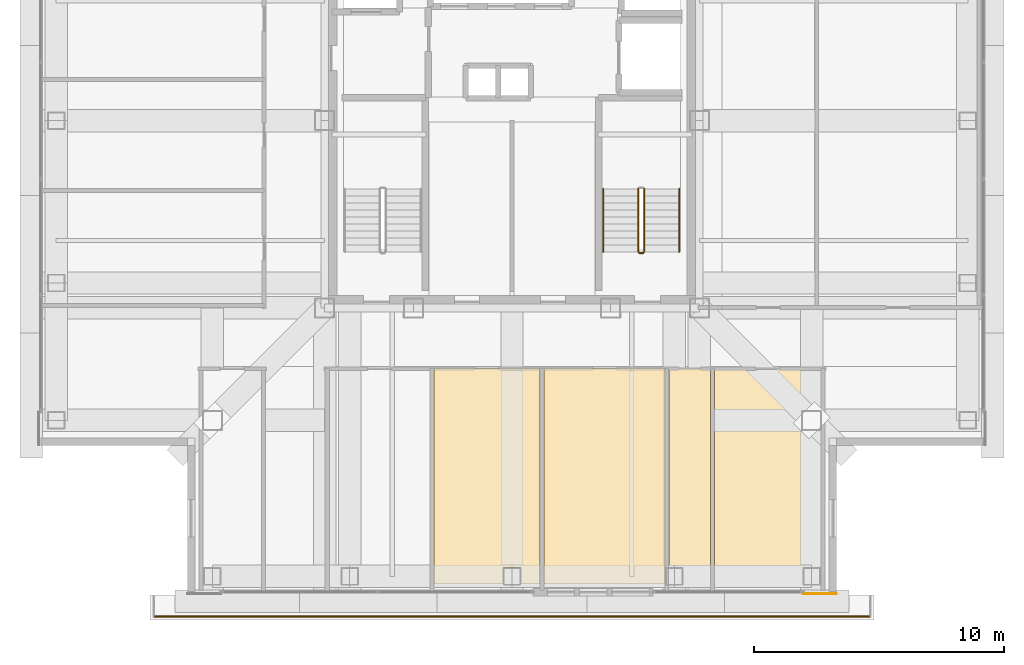
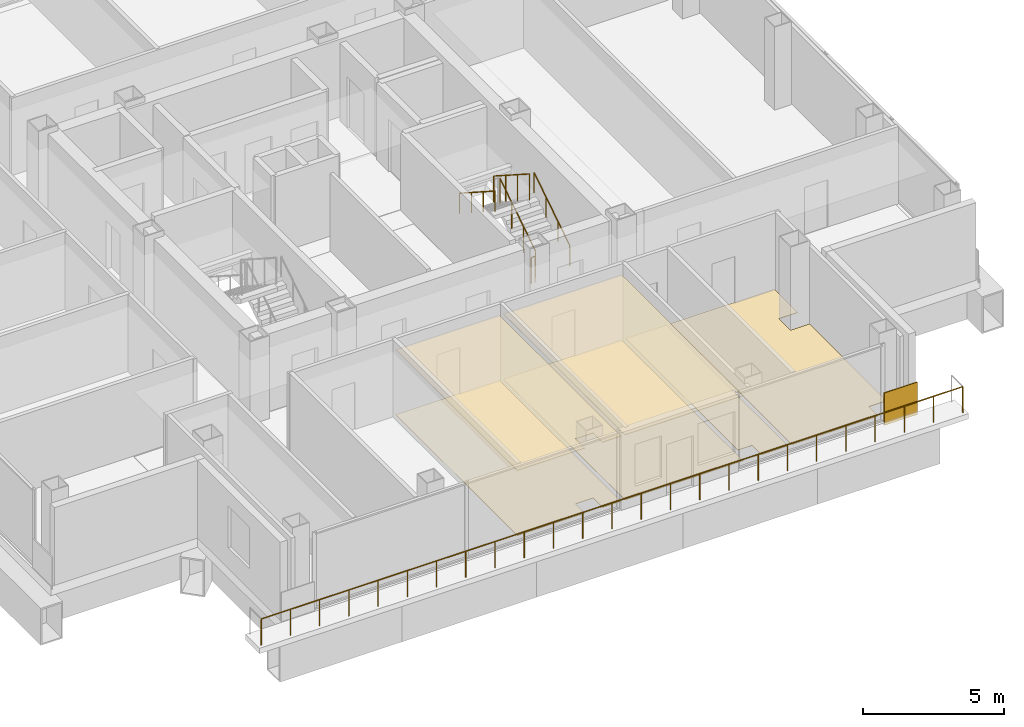
# One storey, part 11 of 15: 7 coverings, 6 railings.
"""IFC4 building model written with IfcOpenShell, lengths in metres."""

import ifcopenshell
import ifcopenshell.guid

model = None  # the IFC model being written
_history = None  # IfcOwnerHistory: only IFC2X3 demands one
_inside = {}  # id of a spatial element -> (the spatial element, [elements in it])
_under = {}  # id of a project, library or spatial element -> (it, [spatial elements below it])
_declared = {}  # id of a project -> (the project, [libraries it declares])
_typed = {}  # id of a type object -> (the type object, [elements of that type])
_made_of = {}  # id of a material, layer set ... -> (it, [elements and type objects made of it])


def new_model(schema):
    """Start an empty IFC model of exactly this schema.

    Asked for "IFC4X3", IfcOpenShell would pick the latest addendum, in which some entities
    have other attributes; the version numbers below select the first issue.
    IFC2X3 requires an IfcOwnerHistory on every rooted entity: one is made here for all.
    """
    global model, _history
    if schema == "IFC4X3":
        model = ifcopenshell.file(schema_version=(4, 3, 0, 0))
    else:
        model = ifcopenshell.file(schema=schema)
    _inside.clear()
    _under.clear()
    _declared.clear()
    _typed.clear()
    _made_of.clear()
    _history = None
    if model.schema == "IFC2X3":
        org = make("IfcOrganization", Name="unknown")
        user = make(
            "IfcPersonAndOrganization",
            ThePerson=make("IfcPerson", FamilyName="unknown"),
            TheOrganization=org,
        )
        app = make(
            "IfcApplication",
            ApplicationDeveloper=org,
            Version="unknown",
            ApplicationFullName="unknown",
            ApplicationIdentifier="unknown",
        )
        _history = make(
            "IfcOwnerHistory",
            OwningUser=user,
            OwningApplication=app,
            ChangeAction="ADDED",
            CreationDate=0,
        )
    return model


def make(cls, **values):
    """One entity of the class cls with the attributes given. An attribute that is None is left unset."""
    return model.create_entity(
        cls, **{name: value for name, value in values.items() if value is not None}
    )


def rooted(cls, **values):
    """An entity with a GlobalId (a new one), such as an element, a storey or a relation."""
    return make(cls, GlobalId=ifcopenshell.guid.new(), OwnerHistory=_history, **values)


def si_unit(unit_type, name, prefix=None):
    """IfcSIUnit, for example si_unit("LENGTHUNIT", "METRE", prefix="MILLI")."""
    return make("IfcSIUnit", UnitType=unit_type, Prefix=prefix, Name=name)


def assignment(units):
    """IfcUnitAssignment: the units of a project."""
    return None if units is None else make("IfcUnitAssignment", Units=units)


def point(xyz):
    """IfcCartesianPoint."""
    return None if xyz is None else make("IfcCartesianPoint", Coordinates=xyz)


def direction(xyz):
    """IfcDirection."""
    return None if xyz is None else make("IfcDirection", DirectionRatios=xyz)


def frame(location, z_axis=None, x_axis=None):
    """IfcAxis2Placement3D, a coordinate frame: its origin and axes. An axis left out is left unset."""
    return make(
        "IfcAxis2Placement3D",
        Location=point(location),
        Axis=direction(z_axis),
        RefDirection=direction(x_axis),
    )


def frame_2d(location, x_axis=None):
    """IfcAxis2Placement2D, a coordinate frame in the plane: its origin and x axis."""
    return make(
        "IfcAxis2Placement2D", Location=point(location), RefDirection=direction(x_axis)
    )


def origin():
    """The frame at (0, 0, 0) with its axes left unset."""
    return frame((0.0, 0.0, 0.0))


def origin_2d():
    """The frame at (0, 0) in the plane with its x axis left unset."""
    return frame_2d((0.0, 0.0))


def place(relative_to, where):
    """IfcLocalPlacement: puts the frame where relative to a parent placement (None: the world)."""
    return make(
        "IfcLocalPlacement", PlacementRelTo=relative_to, RelativePlacement=where
    )


def context(
    kind, dimensions, precision=None, world=None, true_north=None, identifier=None
):
    """IfcGeometricRepresentationContext, for example the 3D "Model" context."""
    return make(
        "IfcGeometricRepresentationContext",
        ContextIdentifier=identifier,
        ContextType=kind,
        CoordinateSpaceDimension=dimensions,
        Precision=precision,
        WorldCoordinateSystem=world,
        TrueNorth=true_north,
    )


def subcontext(parent, identifier, kind, view, scale=None):
    """IfcGeometricRepresentationSubContext, for example "Body" below "Model"."""
    return make(
        "IfcGeometricRepresentationSubContext",
        ContextIdentifier=identifier,
        ContextType=kind,
        ParentContext=parent,
        TargetScale=scale,
        TargetView=view,
    )


def project(units=None, contexts=None):
    """IfcProject with its units and contexts."""
    return rooted(
        "IfcProject",
        Name="project",
        RepresentationContexts=contexts,
        UnitsInContext=assignment(units),
    )


def spatial(cls, under=None, at=None, **own):
    """A site, building, storey or space (cls), placed at a placement, below another one or the project."""
    s = rooted(cls, ObjectPlacement=at, **own)
    if under is not None:
        _under.setdefault(under.id(), (under, []))[1].append(s)
    return s


def polyline(points):
    """IfcPolyline through the points."""
    return make("IfcPolyline", Points=[point(p) for p in points])


def profile(cls, at=None, kind="AREA", **sizes):
    """A parametric profile (cls). Its sizes go by their IFC names, for example OverallWidth=200.0."""
    return make(cls, ProfileType=kind, Position=at, **sizes)


def rectangle(**sizes):
    """IfcRectangleProfileDef."""
    return profile("IfcRectangleProfileDef", **sizes)


def circle(**sizes):
    """IfcCircleProfileDef."""
    return profile("IfcCircleProfileDef", **sizes)


def outline(outer, holes=None, kind="AREA"):
    """IfcArbitraryClosedProfileDef: a profile drawn as a closed curve; with holes, ...WithVoids."""
    if holes is None:
        return make("IfcArbitraryClosedProfileDef", ProfileType=kind, OuterCurve=outer)
    return make(
        "IfcArbitraryProfileDefWithVoids",
        ProfileType=kind,
        OuterCurve=outer,
        InnerCurves=holes,
    )


def extrude(swept, where, along, depth):
    """IfcExtrudedAreaSolid: the profile swept, set in the frame where, extruded along a direction by depth."""
    return make(
        "IfcExtrudedAreaSolid",
        SweptArea=swept,
        Position=where,
        ExtrudedDirection=direction(along),
        Depth=depth,
    )


def shape(context_of_items, identifier, shape_type, items):
    """IfcShapeRepresentation: the items that make up one representation, for example the "Body"."""
    return make(
        "IfcShapeRepresentation",
        ContextOfItems=context_of_items,
        RepresentationIdentifier=identifier,
        RepresentationType=shape_type,
        Items=items,
    )


def material(Name=None, Category=None):
    """IfcMaterial."""
    return make("IfcMaterial", Name=Name, Category=Category)


def layer(
    of_material, thickness, ventilated=None, Name=None, Category=None, Priority=None
):
    """IfcMaterialLayer: one layer of a wall or slab, of a material (None: an air gap)."""
    return make(
        "IfcMaterialLayer",
        Material=of_material,
        LayerThickness=thickness,
        IsVentilated=ventilated,
        Name=Name,
        Category=Category,
        Priority=Priority,
    )


def layer_set(layers, Name=None):
    """IfcMaterialLayerSet."""
    return make("IfcMaterialLayerSet", MaterialLayers=layers, LayerSetName=Name)


def made_of(thing, what):
    """Note that an element or type object is made of a material, layer set ...; save() writes the relation."""
    if what is not None:
        _made_of.setdefault(what.id(), (what, []))[1].append(thing)
    return thing


def type_object(cls, material=None, **own):
    """A type object (cls), such as IfcWallType, which elements share."""
    return made_of(rooted(cls, **own), material)


def element(
    cls,
    number,
    at=None,
    inside=None,
    cuts=None,
    type_object=None,
    material=None,
    context=None,
    identifier="Body",
    shape_type=None,
    held_by="IfcProductDefinitionShape",
    body=None,
    shapes=None,
    **own,
):
    """One element of the class cls, such as IfcWall. Its Tag is "e" and its number.

    at: its placement. inside: the storey or other place that contains it. cuts: it is an
    opening in that element (IfcRelVoidsElement). A single representation is given by context,
    identifier, shape_type and body (its items); several are given by shapes. held_by: the class
    of the entity that holds the representations. save() writes the other relations.
    """
    e = rooted(cls, Tag="e%d" % number, ObjectPlacement=at, **own)
    if body is not None:
        shapes = [shape(context, identifier, shape_type, body)]
    if shapes is not None:
        e.Representation = make(held_by, Representations=shapes)
    if inside is not None:
        _inside.setdefault(inside.id(), (inside, []))[1].append(e)
    if cuts is not None:
        rooted(
            "IfcRelVoidsElement", RelatingBuildingElement=cuts, RelatedOpeningElement=e
        )
    if type_object is not None:
        _typed.setdefault(type_object.id(), (type_object, []))[1].append(e)
    return made_of(e, material)


def aggregate(whole, parts):
    """IfcRelAggregates: a whole, such as a stair, and the parts it consists of."""
    return rooted("IfcRelAggregates", RelatingObject=whole, RelatedObjects=parts)


def save(model, path):
    """Write the relations noted so far, then the file.

    IfcRelAggregates (storeys below a building ...), IfcRelContainedInSpatialStructure (elements
    in a storey), IfcRelDefinesByType, IfcRelAssociatesMaterial and IfcRelDeclares: one each for
    every whole, place, type object, material and project.
    """
    for whole, parts in _under.values():
        aggregate(whole, parts)
    for where, things in _inside.values():
        rooted(
            "IfcRelContainedInSpatialStructure",
            RelatedElements=things,
            RelatingStructure=where,
        )
    for kind, things in _typed.values():
        rooted("IfcRelDefinesByType", RelatedObjects=things, RelatingType=kind)
    for what, things in _made_of.values():
        rooted("IfcRelAssociatesMaterial", RelatedObjects=things, RelatingMaterial=what)
    for by, libraries in _declared.values():
        rooted("IfcRelDeclares", RelatingContext=by, RelatedDefinitions=libraries)
    model.write(path)


model = new_model("IFC4")

# Units and contexts
model_context = context("Model", 3, precision=1e-05, world=origin(), true_north=direction((0.0, 1.0)))
body_context = subcontext(model_context, "Body", "Model", "MODEL_VIEW")
ifc_project = project(units=[si_unit("LENGTHUNIT", "METRE"), si_unit("AREAUNIT", "SQUARE_METRE"), si_unit("VOLUMEUNIT", "CUBIC_METRE"), si_unit("PLANEANGLEUNIT", "RADIAN"), si_unit("MASSUNIT", "GRAM", prefix="KILO")], contexts=[model_context])

# Site, building, storey
site_placement = place(None, origin())
site = spatial("IfcSite", under=ifc_project, at=site_placement, CompositionType="ELEMENT")
building_placement = place(site_placement, origin())
building = spatial("IfcBuilding", under=site, at=building_placement, Name="Trevonay Congress Spire", CompositionType="ELEMENT")
storey_placement = place(building_placement, frame((0.0, 0.0, 232.39990234375)))
storey = spatial("IfcBuildingStorey", under=building, at=storey_placement, Name="L60", CompositionType="ELEMENT", Elevation=232.39990234375)

# Coverings
ifc_material_1 = material(Name="Acoustic Mineral Fibre Board", Category="gypsum")
ifc_layer_1 = layer(ifc_material_1, 0.02490234375, Name="Acoustic Mineral Fibre Board")
ifc_layer_set_1 = layer_set([ifc_layer_1], Name="Acoustic Mineral Fibre Board")
covering_type_1 = type_object("IfcCoveringType", Name="COV-CEIL-ACOUSTIC", PredefinedType="CEILING", material=ifc_layer_set_1)
covering_1_placement = place(storey_placement, frame((0.0, 0.0, 2.81005859375)))
element("IfcCovering", 1, at=covering_1_placement, inside=storey, type_object=covering_type_1, Name="L60 Political Chancery Office acoustic suspended ceiling", PredefinedType="CEILING", context=body_context, shape_type="SweptSolid", body=[
    extrude(outline(polyline([(-3.1201171875, -18.550048828125), (-3.1201171875, -9.929931640625), (1.1201171875, -9.929931640625), (1.1201171875, -18.550048828125), (0.360107421875, -18.550048828125), (0.360107421875, -17.889892578125), (-0.360107421875, -17.889892578125), (-0.360107421875, -18.550048828125), (-3.1201171875, -18.550048828125)])), origin(), (0.0, 0.0, 1.0), 0.025146484375),
])
covering_2_placement = place(storey_placement, frame((0.0, 0.0, 2.81005859375)))
element("IfcCovering", 2, at=covering_2_placement, inside=storey, type_object=covering_type_1, Name="L60 Economic Attache Office acoustic suspended ceiling", PredefinedType="CEILING", context=body_context, shape_type="SweptSolid", body=[
    extrude(outline(polyline([(1.280029296875, -18.550048828125), (6.1201171875, -18.550048828125), (6.1201171875, -9.929931640625), (1.280029296875, -9.929931640625), (1.280029296875, -18.550048828125)])), origin(), (0.0, 0.0, 1.0), 0.025146484375),
])
ifc_material_2 = material(Name="Polished Granite Floor Tile", Category="masonry")
ifc_layer_2 = layer(ifc_material_2, 0.02001953125, Name="Polished Granite Floor Tile")
ifc_layer_set_2 = layer_set([ifc_layer_2], Name="Polished Granite Floor Tile")
covering_type_2 = type_object("IfcCoveringType", Name="COV-FLOOR-STONE", PredefinedType="FLOORING", material=ifc_layer_set_2)
covering_3_placement = place(storey_placement, origin())
element("IfcCovering", 3, at=covering_3_placement, inside=storey, type_object=covering_type_2, Name="L60 Accessible WC floor finish", PredefinedType="FLOORING", context=body_context, shape_type="SweptSolid", body=[
    extrude(outline(polyline([(6.280029296875, -9.929931640625), (7.949951171875, -9.929931640625), (7.949951171875, -18.550048828125), (6.860107421875, -18.550048828125), (6.860107421875, -17.889892578125), (6.280029296875, -17.889892578125), (6.280029296875, -9.929931640625)])), origin(), (0.0, 0.0, 1.0), 0.02001953125),
])
covering_4_placement = place(storey_placement, origin())
element("IfcCovering", 4, at=covering_4_placement, inside=storey, type_object=covering_type_2, Name="L60 Floor Supplies and Copy Room floor finish", PredefinedType="FLOORING", context=body_context, shape_type="SweptSolid", body=[
    extrude(outline(polyline([(8.110107421875, -18.550048828125), (8.110107421875, -9.929931640625), (12.3701171875, -9.929931640625), (12.3701171875, -11.590087890625), (11.590087890625, -11.590087890625), (11.590087890625, -12.409912109375), (12.3701171875, -12.409912109375), (12.3701171875, -18.550048828125), (12.360107421875, -18.550048828125), (12.360107421875, -17.889892578125), (11.639892578125, -17.889892578125), (11.639892578125, -18.550048828125), (8.110107421875, -18.550048828125)])), origin(), (0.0, 0.0, 1.0), 0.02001953125),
])
ifc_material_3 = material(Name="Engineered Oak Flooring", Category="wood")
ifc_layer_3 = layer(ifc_material_3, 0.01806640625, Name="Engineered Oak Flooring")
ifc_layer_set_3 = layer_set([ifc_layer_3], Name="Engineered Oak Flooring")
covering_type_3 = type_object("IfcCoveringType", Name="COV-FLOOR-TIMBER", PredefinedType="FLOORING", material=ifc_layer_set_3)
covering_5_placement = place(storey_placement, origin())
element("IfcCovering", 5, at=covering_5_placement, inside=storey, type_object=covering_type_3, Name="L60 Political Chancery Office floor finish", PredefinedType="FLOORING", context=body_context, shape_type="SweptSolid", body=[
    extrude(outline(polyline([(-3.1201171875, -18.550048828125), (-3.1201171875, -9.929931640625), (1.1201171875, -9.929931640625), (1.1201171875, -18.550048828125), (0.360107421875, -18.550048828125), (0.360107421875, -17.889892578125), (-0.360107421875, -17.889892578125), (-0.360107421875, -18.550048828125), (-3.1201171875, -18.550048828125)])), origin(), (0.0, 0.0, 1.0), 0.01806640625),
])
covering_6_placement = place(storey_placement, origin())
element("IfcCovering", 6, at=covering_6_placement, inside=storey, type_object=covering_type_3, Name="L60 Economic Attache Office floor finish", PredefinedType="FLOORING", context=body_context, shape_type="SweptSolid", body=[
    extrude(outline(polyline([(1.280029296875, -18.550048828125), (6.1201171875, -18.550048828125), (6.1201171875, -9.929931640625), (1.280029296875, -9.929931640625), (1.280029296875, -18.550048828125)])), origin(), (0.0, 0.0, 1.0), 0.01806640625),
])
ifc_material_4 = material(Name="Pale Anodised Aluminium EN AW-6063-T6", Category="aluminium")
ifc_layer_4 = layer(ifc_material_4, 0.0400390625, Name="Pale Anodised Aluminium EN AW-6063-T6")
ifc_layer_set_4 = layer_set([ifc_layer_4], Name="Pale Anodised Aluminium EN AW-6063-T6")
covering_type_4 = type_object("IfcCoveringType", Name="COV-SPANDREL-PALE-METAL", PredefinedType="CLADDING", material=ifc_layer_set_4)
covering_7_placement = place(storey_placement, frame((11.64990234375, -18.93994140625, -0.14990234375), z_axis=(0.0, 0.0, 1.0), x_axis=(1.0, 0.0, 0.0)))
element("IfcCovering", 7, at=covering_7_placement, inside=storey, type_object=covering_type_4, Name="L60 SE corner pier spandrel cladding 2", PredefinedType="CLADDING", context=body_context, shape_type="SweptSolid", body=[
    extrude(rectangle(XDim=1.35009765625, YDim=0.0400390625, at=frame_2d((0.675048828125, 0.0))), origin(), (0.0, 0.0, 1.0), 1.39990234375),
])

# Railings
railing_type_1 = type_object("IfcRailingType", Name="RAL-BALUSTRADE-115", PredefinedType="BALUSTRADE", material=ifc_material_4)
railing_1_placement = place(storey_placement, frame((-14.35009765625, -19.85009765625, 0.0)))
element("IfcRailing", 8, at=railing_1_placement, inside=storey, type_object=railing_type_1, Name="L60 perimeter safety guard GRD-L60-SKY-S-2", PredefinedType="BALUSTRADE", context=body_context, shape_type="SweptSolid", body=[
    extrude(circle(Radius=0.02392578125, at=origin_2d()), frame((0.0, 0.0, 1.1259765625), z_axis=(1.0, 0.0, 0.0), x_axis=(0.0, 1.0, 0.0)), (0.0, 0.0, 1.0), 28.7001953125),
    extrude(circle(Radius=0.02099609375, at=origin_2d()), origin(), (0.0, 0.0, 1.0), 1.101806640625),
    extrude(circle(Radius=0.02099609375, at=origin_2d()), frame((1.19580078125, 0.0, 0.0)), (0.0, 0.0, 1.0), 1.101806640625),
    extrude(circle(Radius=0.02099609375, at=origin_2d()), frame((2.3916015625, 0.0, 0.0)), (0.0, 0.0, 1.0), 1.101806640625),
    extrude(circle(Radius=0.02099609375, at=origin_2d()), frame((3.58740234375, 0.0, 0.0)), (0.0, 0.0, 1.0), 1.101806640625),
    extrude(circle(Radius=0.02099609375, at=origin_2d()), frame((4.783447265625, 0.0, 0.0)), (0.0, 0.0, 1.0), 1.101806640625),
    extrude(circle(Radius=0.02099609375, at=origin_2d()), frame((5.979248046875, 0.0, 0.0)), (0.0, 0.0, 1.0), 1.101806640625),
    extrude(circle(Radius=0.02099609375, at=origin_2d()), frame((7.175048828125, 0.0, 0.0)), (0.0, 0.0, 1.0), 1.101806640625),
    extrude(circle(Radius=0.02099609375, at=origin_2d()), frame((8.370849609375, 0.0, 0.0)), (0.0, 0.0, 1.0), 1.101806640625),
    extrude(circle(Radius=0.02099609375, at=origin_2d()), frame((9.566650390625, 0.0, 0.0)), (0.0, 0.0, 1.0), 1.101806640625),
    extrude(circle(Radius=0.02099609375, at=origin_2d()), frame((10.7626953125, 0.0, 0.0)), (0.0, 0.0, 1.0), 1.101806640625),
    extrude(circle(Radius=0.02099609375, at=origin_2d()), frame((11.95849609375, 0.0, 0.0)), (0.0, 0.0, 1.0), 1.101806640625),
    extrude(circle(Radius=0.02099609375, at=origin_2d()), frame((13.154296875, 0.0, 0.0)), (0.0, 0.0, 1.0), 1.101806640625),
    extrude(circle(Radius=0.02099609375, at=origin_2d()), frame((14.35009765625, 0.0, 0.0)), (0.0, 0.0, 1.0), 1.101806640625),
    extrude(circle(Radius=0.02099609375, at=origin_2d()), frame((15.5458984375, 0.0, 0.0)), (0.0, 0.0, 1.0), 1.101806640625),
    extrude(circle(Radius=0.02099609375, at=origin_2d()), frame((16.74169921875, 0.0, 0.0)), (0.0, 0.0, 1.0), 1.101806640625),
    extrude(circle(Radius=0.02099609375, at=origin_2d()), frame((17.9375, 0.0, 0.0)), (0.0, 0.0, 1.0), 1.101806640625),
    extrude(circle(Radius=0.02099609375, at=origin_2d()), frame((19.133544921875, 0.0, 0.0)), (0.0, 0.0, 1.0), 1.101806640625),
    extrude(circle(Radius=0.02099609375, at=origin_2d()), frame((20.329345703125, 0.0, 0.0)), (0.0, 0.0, 1.0), 1.101806640625),
    extrude(circle(Radius=0.02099609375, at=origin_2d()), frame((21.525146484375, 0.0, 0.0)), (0.0, 0.0, 1.0), 1.101806640625),
    extrude(circle(Radius=0.02099609375, at=origin_2d()), frame((22.720947265625, 0.0, 0.0)), (0.0, 0.0, 1.0), 1.101806640625),
    extrude(circle(Radius=0.02099609375, at=origin_2d()), frame((23.916748046875, 0.0, 0.0)), (0.0, 0.0, 1.0), 1.101806640625),
    extrude(circle(Radius=0.02099609375, at=origin_2d()), frame((25.11279296875, 0.0, 0.0)), (0.0, 0.0, 1.0), 1.101806640625),
    extrude(circle(Radius=0.02099609375, at=origin_2d()), frame((26.30859375, 0.0, 0.0)), (0.0, 0.0, 1.0), 1.101806640625),
    extrude(circle(Radius=0.02099609375, at=origin_2d()), frame((27.50439453125, 0.0, 0.0)), (0.0, 0.0, 1.0), 1.101806640625),
    extrude(circle(Radius=0.02099609375, at=origin_2d()), frame((28.7001953125, 0.0, 0.0)), (0.0, 0.0, 1.0), 1.101806640625),
])
railing_type_2 = type_object("IfcRailingType", Name="RAL-STAIR-GUARD-110", PredefinedType="GUARDRAIL", material=ifc_material_4)
railing_2_placement = place(storey_placement, frame((5.300048828125, -5.25, 0.18017578125)))
element("IfcRailing", 9, at=railing_2_placement, inside=storey, type_object=railing_type_2, Name="L60 ST-2 stair guard 1", PredefinedType="GUARDRAIL", context=body_context, shape_type="SweptSolid", body=[
    extrude(circle(Radius=0.02392578125, at=origin_2d()), frame((0.0, 0.0, 1.1259765625), z_axis=(0.0, 0.841199657755, 0.540724639528), x_axis=(-1.0, 0.0, 0.0)), (0.0, 0.0, 1.0), 2.995849609375),
    extrude(circle(Radius=0.02099609375, at=origin_2d()), origin(), (0.0, 0.0, 1.0), 1.101806640625),
    extrude(circle(Radius=0.02099609375, at=origin_2d()), frame((0.0, 0.840087890625, 0.5400390625)), (0.0, 0.0, 1.0), 1.101806640625),
    extrude(circle(Radius=0.02099609375, at=origin_2d()), frame((0.0, 1.679931640625, 1.079833984375)), (0.0, 0.0, 1.0), 1.101806640625),
    extrude(circle(Radius=0.02099609375, at=origin_2d()), frame((0.0, 2.52001953125, 1.619873046875)), (0.0, 0.0, 1.0), 1.101806640625),
])
railing_3_placement = place(storey_placement, frame((5.050048828125, -2.72998046875, 1.97998046875)))
element("IfcRailing", 10, at=railing_3_placement, inside=storey, type_object=railing_type_2, Name="L60 ST-2 stair guard 3", PredefinedType="GUARDRAIL", context=body_context, shape_type="SweptSolid", body=[
    extrude(circle(Radius=0.02392578125, at=origin_2d()), frame((0.0, 0.0, 1.1259765625), z_axis=(0.0, -0.841162588446, 0.540782303519), x_axis=(1.0, 0.0, 0.0)), (0.0, 0.0, 1.0), 2.995849609375),
    extrude(circle(Radius=0.02099609375, at=origin_2d()), origin(), (0.0, 0.0, 1.0), 1.101806640625),
    extrude(circle(Radius=0.02099609375, at=origin_2d()), frame((0.0, -0.840087890625, 0.5400390625)), (0.0, 0.0, 1.0), 1.101806640625),
    extrude(circle(Radius=0.02099609375, at=origin_2d()), frame((0.0, -1.679931640625, 1.080078125)), (0.0, 0.0, 1.0), 1.101806640625),
    extrude(circle(Radius=0.02099609375, at=origin_2d()), frame((0.0, -2.52001953125, 1.6201171875)), (0.0, 0.0, 1.0), 1.101806640625),
])
railing_4_placement = place(storey_placement, frame((5.25, -5.300048828125, 0.0)))
element("IfcRailing", 11, at=railing_4_placement, inside=storey, type_object=railing_type_2, Name="L60 ST-2 stair guard 4", PredefinedType="GUARDRAIL", context=body_context, shape_type="SweptSolid", body=[
    extrude(circle(Radius=0.02392578125, at=origin_2d()), frame((0.0, 0.0, 1.1259765625), z_axis=(-1.0, 0.0, 0.0), x_axis=(0.0, -1.0, 0.0)), (0.0, 0.0, 1.0), 0.14990234375),
    extrude(circle(Radius=0.02099609375, at=origin_2d()), origin(), (0.0, 0.0, 1.0), 1.101806640625),
    extrude(circle(Radius=0.02099609375, at=origin_2d()), frame((-0.14990234375, 0.0, 0.0)), (0.0, 0.0, 1.0), 1.101806640625),
])
railing_type_3 = type_object("IfcRailingType", Name="RAL-STAIR-HANDRAIL", PredefinedType="HANDRAIL", material=ifc_material_4)
railing_5_placement = place(storey_placement, frame((6.699951171875, -5.25, 0.18017578125)))
element("IfcRailing", 12, at=railing_5_placement, inside=storey, type_object=railing_type_3, Name="L60 ST-2 stair handrail 1", PredefinedType="HANDRAIL", context=body_context, shape_type="SweptSolid", body=[
    extrude(circle(Radius=0.02392578125, at=origin_2d()), frame((0.0, 0.0, 0.8759765625), z_axis=(0.0, 0.841199657755, 0.540724639528), x_axis=(-1.0, 0.0, 0.0)), (0.0, 0.0, 1.0), 2.995849609375),
    extrude(circle(Radius=0.02099609375, at=origin_2d()), origin(), (0.0, 0.0, 1.0), 0.851806640625),
    extrude(circle(Radius=0.02099609375, at=origin_2d()), frame((0.0, 0.840087890625, 0.5400390625)), (0.0, 0.0, 1.0), 0.851806640625),
    extrude(circle(Radius=0.02099609375, at=origin_2d()), frame((0.0, 1.679931640625, 1.079833984375)), (0.0, 0.0, 1.0), 0.851806640625),
    extrude(circle(Radius=0.02099609375, at=origin_2d()), frame((0.0, 2.52001953125, 1.619873046875)), (0.0, 0.0, 1.0), 0.851806640625),
])
railing_6_placement = place(storey_placement, frame((3.64990234375, -2.72998046875, 1.97998046875)))
element("IfcRailing", 13, at=railing_6_placement, inside=storey, type_object=railing_type_3, Name="L60 ST-2 stair handrail 2", PredefinedType="HANDRAIL", context=body_context, shape_type="SweptSolid", body=[
    extrude(circle(Radius=0.02392578125, at=origin_2d()), frame((0.0, 0.0, 0.8759765625), z_axis=(0.0, -0.841162588446, 0.540782303519), x_axis=(1.0, 0.0, 0.0)), (0.0, 0.0, 1.0), 2.995849609375),
    extrude(circle(Radius=0.02099609375, at=origin_2d()), origin(), (0.0, 0.0, 1.0), 0.851806640625),
    extrude(circle(Radius=0.02099609375, at=origin_2d()), frame((0.0, -0.840087890625, 0.5400390625)), (0.0, 0.0, 1.0), 0.851806640625),
    extrude(circle(Radius=0.02099609375, at=origin_2d()), frame((0.0, -1.679931640625, 1.080078125)), (0.0, 0.0, 1.0), 0.851806640625),
    extrude(circle(Radius=0.02099609375, at=origin_2d()), frame((0.0, -2.52001953125, 1.6201171875)), (0.0, 0.0, 1.0), 0.851806640625),
])

save(model, "model.ifc")
